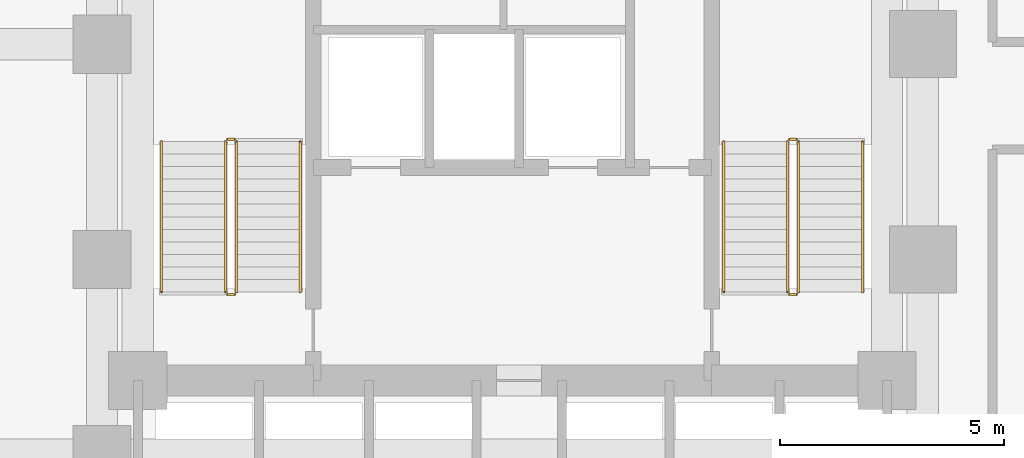
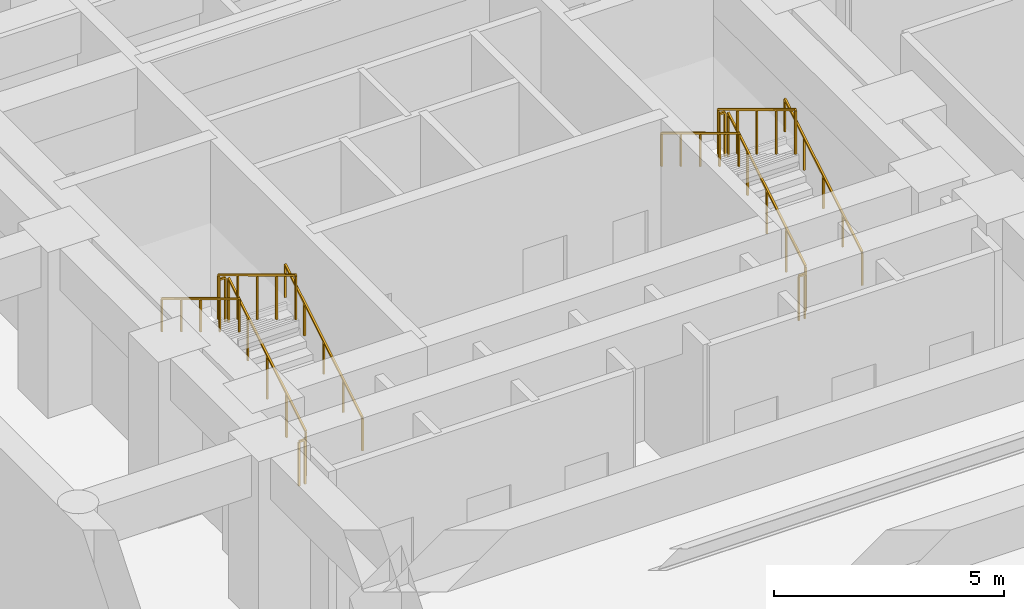
# One storey, part 6 of 6: 12 railings.
"""IFC4 building model written with IfcOpenShell, lengths in metres."""

from ifc_helpers import new_model, si_unit, direction, frame, origin, origin_2d, place, context, subcontext, project, spatial, rectangle, extrude, material, type_object, element, save


model = new_model("IFC4")

# Units and contexts
model_context = context("Model", 3, precision=1e-05, world=origin(), true_north=direction((0.0, 1.0)))
body_context = subcontext(model_context, "Body", "Model", "MODEL_VIEW")
ifc_project = project(units=[si_unit("LENGTHUNIT", "METRE"), si_unit("AREAUNIT", "SQUARE_METRE"), si_unit("VOLUMEUNIT", "CUBIC_METRE"), si_unit("PLANEANGLEUNIT", "RADIAN"), si_unit("MASSUNIT", "GRAM", prefix="KILO")], contexts=[model_context])

# Site, building, storey
site_placement = place(None, origin())
site = spatial("IfcSite", under=ifc_project, at=site_placement, CompositionType="ELEMENT")
building_placement = place(site_placement, origin())
building = spatial("IfcBuilding", under=site, at=building_placement, Name="Orvandelia Arch Residences", CompositionType="ELEMENT")
storey_placement = place(building_placement, frame((0.0, 0.0, -8.800048828125)))
storey = spatial("IfcBuildingStorey", under=building, at=storey_placement, Name="B2", CompositionType="ELEMENT", Elevation=-8.800048828125)

# Railings
ifc_material = material(Name="Brushed Stainless Steel 304", Category="steel")
railing_type_1 = type_object("IfcRailingType", Name="RL-STAIR-GD1120", PredefinedType="GUARDRAIL", material=ifc_material)
railing_1_placement = place(storey_placement, frame((8.25, 32.8701171875, 0.169189453125)))
element("IfcRailing", 1, at=railing_1_placement, inside=storey, type_object=railing_type_1, Name="B2 ST-1 stair guard 1", PredefinedType="GUARDRAIL", context=body_context, shape_type="SweptSolid", body=[
    extrude(rectangle(XDim=0.048095703125, YDim=0.048095703125, at=origin_2d()), frame((0.0, 0.0, 1.17578125), z_axis=(0.0, 0.855820338506, 0.51727318527), x_axis=(-1.0, 0.0, 0.0)), (0.0, 0.0, 1.0), 3.92578125),
    extrude(rectangle(XDim=0.0419921875, YDim=0.0419921875, at=origin_2d()), origin(), (0.0, 0.0, 1.0), 1.15185546875),
    extrude(rectangle(XDim=0.0419921875, YDim=0.0419921875, at=origin_2d()), frame((0.0, 0.83984375, 0.5078125)), (0.0, 0.0, 1.0), 1.15185546875),
    extrude(rectangle(XDim=0.0419921875, YDim=0.0419921875, at=origin_2d()), frame((0.0, 1.679931640625, 1.015380859375)), (0.0, 0.0, 1.0), 1.15185546875),
    extrude(rectangle(XDim=0.0419921875, YDim=0.0419921875, at=origin_2d()), frame((0.0, 2.52001953125, 1.52294921875)), (0.0, 0.0, 1.0), 1.15185546875),
    extrude(rectangle(XDim=0.0419921875, YDim=0.0419921875, at=origin_2d()), frame((0.0, 3.35986328125, 2.03076171875)), (0.0, 0.0, 1.0), 1.15185546875),
])
railing_2_placement = place(storey_placement, frame((8.199951171875, 36.280029296875, 2.199951171875)))
element("IfcRailing", 2, at=railing_2_placement, inside=storey, type_object=railing_type_1, Name="B2 ST-1 stair guard 2", PredefinedType="GUARDRAIL", context=body_context, shape_type="SweptSolid", body=[
    extrude(rectangle(XDim=0.048095703125, YDim=0.048095703125, at=origin_2d()), frame((0.0, 0.0, 1.17578125), z_axis=(-1.0, 0.0, 0.0), x_axis=(0.0, -1.0, 0.0)), (0.0, 0.0, 1.0), 0.14990234375),
    extrude(rectangle(XDim=0.0419921875, YDim=0.0419921875, at=origin_2d()), origin(), (0.0, 0.0, 1.0), 1.15185546875),
    extrude(rectangle(XDim=0.0419921875, YDim=0.0419921875, at=origin_2d()), frame((-0.14990234375, 0.0, 0.0)), (0.0, 0.0, 1.0), 1.15185546875),
])
railing_3_placement = place(storey_placement, frame((8.0, 36.22998046875, 2.369384765625)))
element("IfcRailing", 3, at=railing_3_placement, inside=storey, type_object=railing_type_1, Name="B2 ST-1 stair guard 3", PredefinedType="GUARDRAIL", context=body_context, shape_type="SweptSolid", body=[
    extrude(rectangle(XDim=0.048095703125, YDim=0.048095703125, at=origin_2d()), frame((0.0, 0.0, 1.17578125), z_axis=(0.0, -0.855820338506, 0.51727318527), x_axis=(1.0, 0.0, 0.0)), (0.0, 0.0, 1.0), 3.92578125),
    extrude(rectangle(XDim=0.0419921875, YDim=0.0419921875, at=origin_2d()), origin(), (0.0, 0.0, 1.0), 1.15185546875),
    extrude(rectangle(XDim=0.0419921875, YDim=0.0419921875, at=origin_2d()), frame((0.0, -0.83984375, 0.5078125)), (0.0, 0.0, 1.0), 1.15185546875),
    extrude(rectangle(XDim=0.0419921875, YDim=0.0419921875, at=origin_2d()), frame((0.0, -1.679931640625, 1.015380859375)), (0.0, 0.0, 1.0), 1.15185546875),
    extrude(rectangle(XDim=0.0419921875, YDim=0.0419921875, at=origin_2d()), frame((0.0, -2.52001953125, 1.52294921875)), (0.0, 0.0, 1.0), 1.15185546875),
    extrude(rectangle(XDim=0.0419921875, YDim=0.0419921875, at=origin_2d()), frame((0.0, -3.35986328125, 2.03076171875)), (0.0, 0.0, 1.0), 1.15185546875),
])
railing_4_placement = place(storey_placement, frame((8.199951171875, 32.820068359375, 0.0)))
element("IfcRailing", 4, at=railing_4_placement, inside=storey, type_object=railing_type_1, Name="B2 ST-1 stair guard 4", PredefinedType="GUARDRAIL", context=body_context, shape_type="SweptSolid", body=[
    extrude(rectangle(XDim=0.048095703125, YDim=0.048095703125, at=origin_2d()), frame((0.0, 0.0, 1.17578125), z_axis=(-1.0, 0.0, 0.0), x_axis=(0.0, -1.0, 0.0)), (0.0, 0.0, 1.0), 0.14990234375),
    extrude(rectangle(XDim=0.0419921875, YDim=0.0419921875, at=origin_2d()), origin(), (0.0, 0.0, 1.0), 1.15185546875),
    extrude(rectangle(XDim=0.0419921875, YDim=0.0419921875, at=origin_2d()), frame((-0.14990234375, 0.0, 0.0)), (0.0, 0.0, 1.0), 1.15185546875),
])
railing_5_placement = place(storey_placement, frame((20.780029296875, 32.8701171875, 0.169189453125)))
element("IfcRailing", 5, at=railing_5_placement, inside=storey, type_object=railing_type_1, Name="B2 ST-2 stair guard 1", PredefinedType="GUARDRAIL", context=body_context, shape_type="SweptSolid", body=[
    extrude(rectangle(XDim=0.048095703125, YDim=0.048095703125, at=origin_2d()), frame((0.0, 0.0, 1.17578125), z_axis=(0.0, 0.855820338506, 0.51727318527), x_axis=(-1.0, 0.0, 0.0)), (0.0, 0.0, 1.0), 3.92578125),
    extrude(rectangle(XDim=0.0419921875, YDim=0.0419921875, at=origin_2d()), origin(), (0.0, 0.0, 1.0), 1.15185546875),
    extrude(rectangle(XDim=0.0419921875, YDim=0.0419921875, at=origin_2d()), frame((0.0, 0.83984375, 0.5078125)), (0.0, 0.0, 1.0), 1.15185546875),
    extrude(rectangle(XDim=0.0419921875, YDim=0.0419921875, at=origin_2d()), frame((0.0, 1.679931640625, 1.015380859375)), (0.0, 0.0, 1.0), 1.15185546875),
    extrude(rectangle(XDim=0.0419921875, YDim=0.0419921875, at=origin_2d()), frame((0.0, 2.52001953125, 1.52294921875)), (0.0, 0.0, 1.0), 1.15185546875),
    extrude(rectangle(XDim=0.0419921875, YDim=0.0419921875, at=origin_2d()), frame((0.0, 3.35986328125, 2.03076171875)), (0.0, 0.0, 1.0), 1.15185546875),
])
railing_6_placement = place(storey_placement, frame((20.72998046875, 36.280029296875, 2.199951171875)))
element("IfcRailing", 6, at=railing_6_placement, inside=storey, type_object=railing_type_1, Name="B2 ST-2 stair guard 2", PredefinedType="GUARDRAIL", context=body_context, shape_type="SweptSolid", body=[
    extrude(rectangle(XDim=0.048095703125, YDim=0.048095703125, at=origin_2d()), frame((0.0, 0.0, 1.17578125), z_axis=(-1.0, 0.0, 0.0), x_axis=(0.0, -1.0, 0.0)), (0.0, 0.0, 1.0), 0.14990234375),
    extrude(rectangle(XDim=0.0419921875, YDim=0.0419921875, at=origin_2d()), origin(), (0.0, 0.0, 1.0), 1.15185546875),
    extrude(rectangle(XDim=0.0419921875, YDim=0.0419921875, at=origin_2d()), frame((-0.14990234375, 0.0, 0.0)), (0.0, 0.0, 1.0), 1.15185546875),
])
railing_7_placement = place(storey_placement, frame((20.530029296875, 36.22998046875, 2.369384765625)))
element("IfcRailing", 7, at=railing_7_placement, inside=storey, type_object=railing_type_1, Name="B2 ST-2 stair guard 3", PredefinedType="GUARDRAIL", context=body_context, shape_type="SweptSolid", body=[
    extrude(rectangle(XDim=0.048095703125, YDim=0.048095703125, at=origin_2d()), frame((0.0, 0.0, 1.17578125), z_axis=(0.0, -0.855820338506, 0.51727318527), x_axis=(1.0, 0.0, 0.0)), (0.0, 0.0, 1.0), 3.92578125),
    extrude(rectangle(XDim=0.0419921875, YDim=0.0419921875, at=origin_2d()), origin(), (0.0, 0.0, 1.0), 1.15185546875),
    extrude(rectangle(XDim=0.0419921875, YDim=0.0419921875, at=origin_2d()), frame((0.0, -0.83984375, 0.5078125)), (0.0, 0.0, 1.0), 1.15185546875),
    extrude(rectangle(XDim=0.0419921875, YDim=0.0419921875, at=origin_2d()), frame((0.0, -1.679931640625, 1.015380859375)), (0.0, 0.0, 1.0), 1.15185546875),
    extrude(rectangle(XDim=0.0419921875, YDim=0.0419921875, at=origin_2d()), frame((0.0, -2.52001953125, 1.52294921875)), (0.0, 0.0, 1.0), 1.15185546875),
    extrude(rectangle(XDim=0.0419921875, YDim=0.0419921875, at=origin_2d()), frame((0.0, -3.35986328125, 2.03076171875)), (0.0, 0.0, 1.0), 1.15185546875),
])
railing_8_placement = place(storey_placement, frame((20.72998046875, 32.820068359375, 0.0)))
element("IfcRailing", 8, at=railing_8_placement, inside=storey, type_object=railing_type_1, Name="B2 ST-2 stair guard 4", PredefinedType="GUARDRAIL", context=body_context, shape_type="SweptSolid", body=[
    extrude(rectangle(XDim=0.048095703125, YDim=0.048095703125, at=origin_2d()), frame((0.0, 0.0, 1.17578125), z_axis=(-1.0, 0.0, 0.0), x_axis=(0.0, -1.0, 0.0)), (0.0, 0.0, 1.0), 0.14990234375),
    extrude(rectangle(XDim=0.0419921875, YDim=0.0419921875, at=origin_2d()), origin(), (0.0, 0.0, 1.0), 1.15185546875),
    extrude(rectangle(XDim=0.0419921875, YDim=0.0419921875, at=origin_2d()), frame((-0.14990234375, 0.0, 0.0)), (0.0, 0.0, 1.0), 1.15185546875),
])
railing_type_2 = type_object("IfcRailingType", Name="RL-STAIR-HR920", PredefinedType="HANDRAIL", material=ifc_material)
railing_9_placement = place(storey_placement, frame((9.669921875, 32.8701171875, 0.338623046875)))
element("IfcRailing", 9, at=railing_9_placement, inside=storey, type_object=railing_type_2, Name="B2 ST-1 stair handrail 1", PredefinedType="HANDRAIL", context=body_context, shape_type="SweptSolid", body=[
    extrude(rectangle(XDim=0.048095703125, YDim=0.048095703125, at=origin_2d()), frame((0.0, 0.0, 0.8759765625), z_axis=(0.0, 0.855820338506, 0.51727318527), x_axis=(-1.0, 0.0, 0.0)), (0.0, 0.0, 1.0), 3.92578125),
    extrude(rectangle(XDim=0.0419921875, YDim=0.0419921875, at=origin_2d()), origin(), (0.0, 0.0, 1.0), 0.851806640625),
    extrude(rectangle(XDim=0.0419921875, YDim=0.0419921875, at=origin_2d()), frame((0.0, 0.83984375, 0.5078125)), (0.0, 0.0, 1.0), 0.851806640625),
    extrude(rectangle(XDim=0.0419921875, YDim=0.0419921875, at=origin_2d()), frame((0.0, 1.679931640625, 1.015380859375)), (0.0, 0.0, 1.0), 0.851806640625),
    extrude(rectangle(XDim=0.0419921875, YDim=0.0419921875, at=origin_2d()), frame((0.0, 2.52001953125, 1.52294921875)), (0.0, 0.0, 1.0), 0.851806640625),
    extrude(rectangle(XDim=0.0419921875, YDim=0.0419921875, at=origin_2d()), frame((0.0, 3.35986328125, 2.03076171875)), (0.0, 0.0, 1.0), 0.851806640625),
])
railing_10_placement = place(storey_placement, frame((6.580078125, 36.22998046875, 2.53857421875)))
element("IfcRailing", 10, at=railing_10_placement, inside=storey, type_object=railing_type_2, Name="B2 ST-1 stair handrail 2", PredefinedType="HANDRAIL", context=body_context, shape_type="SweptSolid", body=[
    extrude(rectangle(XDim=0.048095703125, YDim=0.048095703125, at=origin_2d()), frame((0.0, 0.0, 0.8759765625), z_axis=(0.0, -0.855820338506, 0.51727318527), x_axis=(1.0, 0.0, 0.0)), (0.0, 0.0, 1.0), 3.92578125),
    extrude(rectangle(XDim=0.0419921875, YDim=0.0419921875, at=origin_2d()), origin(), (0.0, 0.0, 1.0), 0.851806640625),
    extrude(rectangle(XDim=0.0419921875, YDim=0.0419921875, at=origin_2d()), frame((0.0, -0.83984375, 0.5078125)), (0.0, 0.0, 1.0), 0.851806640625),
    extrude(rectangle(XDim=0.0419921875, YDim=0.0419921875, at=origin_2d()), frame((0.0, -1.679931640625, 1.015380859375)), (0.0, 0.0, 1.0), 0.851806640625),
    extrude(rectangle(XDim=0.0419921875, YDim=0.0419921875, at=origin_2d()), frame((0.0, -2.52001953125, 1.52294921875)), (0.0, 0.0, 1.0), 0.851806640625),
    extrude(rectangle(XDim=0.0419921875, YDim=0.0419921875, at=origin_2d()), frame((0.0, -3.35986328125, 2.03076171875)), (0.0, 0.0, 1.0), 0.851806640625),
])
railing_11_placement = place(storey_placement, frame((22.199951171875, 32.8701171875, 0.338623046875)))
element("IfcRailing", 11, at=railing_11_placement, inside=storey, type_object=railing_type_2, Name="B2 ST-2 stair handrail 1", PredefinedType="HANDRAIL", context=body_context, shape_type="SweptSolid", body=[
    extrude(rectangle(XDim=0.048095703125, YDim=0.048095703125, at=origin_2d()), frame((0.0, 0.0, 0.8759765625), z_axis=(0.0, 0.855820338506, 0.51727318527), x_axis=(-1.0, 0.0, 0.0)), (0.0, 0.0, 1.0), 3.92578125),
    extrude(rectangle(XDim=0.0419921875, YDim=0.0419921875, at=origin_2d()), origin(), (0.0, 0.0, 1.0), 0.851806640625),
    extrude(rectangle(XDim=0.0419921875, YDim=0.0419921875, at=origin_2d()), frame((0.0, 0.83984375, 0.5078125)), (0.0, 0.0, 1.0), 0.851806640625),
    extrude(rectangle(XDim=0.0419921875, YDim=0.0419921875, at=origin_2d()), frame((0.0, 1.679931640625, 1.015380859375)), (0.0, 0.0, 1.0), 0.851806640625),
    extrude(rectangle(XDim=0.0419921875, YDim=0.0419921875, at=origin_2d()), frame((0.0, 2.52001953125, 1.52294921875)), (0.0, 0.0, 1.0), 0.851806640625),
    extrude(rectangle(XDim=0.0419921875, YDim=0.0419921875, at=origin_2d()), frame((0.0, 3.35986328125, 2.03076171875)), (0.0, 0.0, 1.0), 0.851806640625),
])
railing_12_placement = place(storey_placement, frame((19.110107421875, 36.22998046875, 2.53857421875)))
element("IfcRailing", 12, at=railing_12_placement, inside=storey, type_object=railing_type_2, Name="B2 ST-2 stair handrail 2", PredefinedType="HANDRAIL", context=body_context, shape_type="SweptSolid", body=[
    extrude(rectangle(XDim=0.048095703125, YDim=0.048095703125, at=origin_2d()), frame((0.0, 0.0, 0.8759765625), z_axis=(0.0, -0.855820338506, 0.51727318527), x_axis=(1.0, 0.0, 0.0)), (0.0, 0.0, 1.0), 3.92578125),
    extrude(rectangle(XDim=0.0419921875, YDim=0.0419921875, at=origin_2d()), origin(), (0.0, 0.0, 1.0), 0.851806640625),
    extrude(rectangle(XDim=0.0419921875, YDim=0.0419921875, at=origin_2d()), frame((0.0, -0.83984375, 0.5078125)), (0.0, 0.0, 1.0), 0.851806640625),
    extrude(rectangle(XDim=0.0419921875, YDim=0.0419921875, at=origin_2d()), frame((0.0, -1.679931640625, 1.015380859375)), (0.0, 0.0, 1.0), 0.851806640625),
    extrude(rectangle(XDim=0.0419921875, YDim=0.0419921875, at=origin_2d()), frame((0.0, -2.52001953125, 1.52294921875)), (0.0, 0.0, 1.0), 0.851806640625),
    extrude(rectangle(XDim=0.0419921875, YDim=0.0419921875, at=origin_2d()), frame((0.0, -3.35986328125, 2.03076171875)), (0.0, 0.0, 1.0), 0.851806640625),
])

save(model, "model.ifc")
